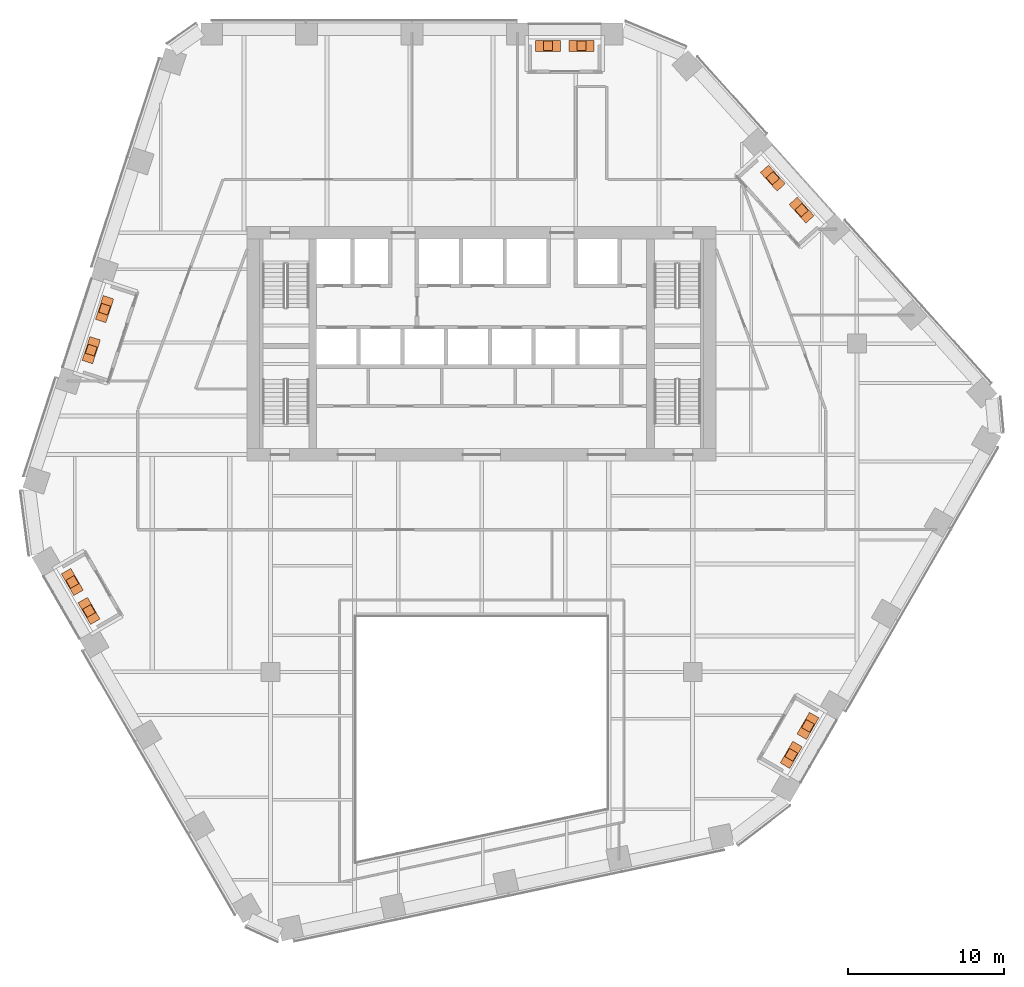
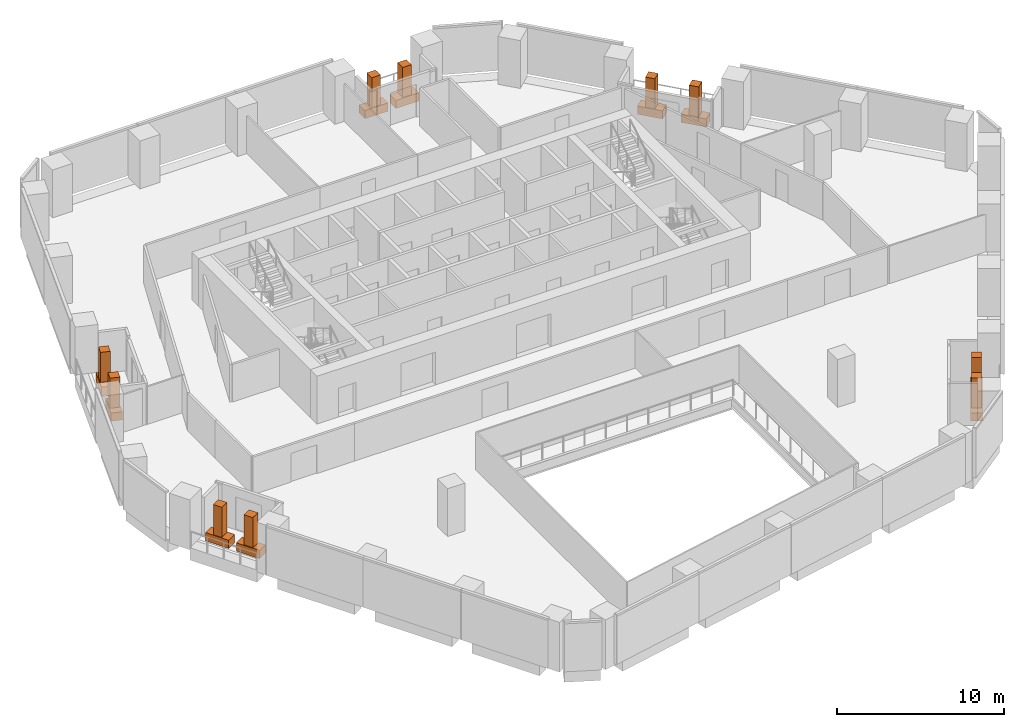
# One storey, part 24 of 24: 10 geographic elements, 10 proxies.
"""IFC4 building model written with IfcOpenShell, lengths in metres."""

from ifc_helpers import new_model, si_unit, direction, frame, origin, origin_2d, place, context, subcontext, project, spatial, rectangle, extrude, material, type_object, element, save


model = new_model("IFC4")

# Units and contexts
model_context = context("Model", 3, precision=1e-05, world=origin(), true_north=direction((0.0, 1.0)))
body_context = subcontext(model_context, "Body", "Model", "MODEL_VIEW")
ifc_project = project(units=[si_unit("LENGTHUNIT", "METRE"), si_unit("AREAUNIT", "SQUARE_METRE"), si_unit("VOLUMEUNIT", "CUBIC_METRE"), si_unit("PLANEANGLEUNIT", "RADIAN"), si_unit("MASSUNIT", "GRAM", prefix="KILO")], contexts=[model_context])

# Site, building, storey
site_placement = place(None, origin())
site = spatial("IfcSite", under=ifc_project, at=site_placement, CompositionType="ELEMENT")
building_placement = place(site_placement, origin())
building = spatial("IfcBuilding", under=site, at=building_placement, Name="Isthmus Gate Tower", CompositionType="ELEMENT")
storey_placement = place(building_placement, frame((0.0, 0.0, 159.0)))
storey = spatial("IfcBuildingStorey", under=building, at=storey_placement, Name="L39", CompositionType="ELEMENT", Elevation=159.0)

# Geographic elements
ifc_material_1 = material(Name="Plant material, broadleaf tree")
geographic_element_type = type_object("IfcGeographicElementType", Name="BROADLEAF TREE 2200 HIGH", PredefinedType="USERDEFINED", material=ifc_material_1)
for number, where, z_axis, x_axis, name in (
    (1, (6.383056640625, 26.550048828125, 0.60009765625), (0.0, 0.0, 1.0), (-1.0, 0.0, 0.0), "TREE"),
    (2, (4.243896484375, 26.550048828125, 0.60009765625), (0.0, 0.0, 1.0), (-1.0, 0.0, 0.0), "TREE"),
    (3, (-24.11962890625, 9.70458984375, 0.60009765625), (0.0, 0.0, 1.0), (-0.309016994375, -0.951056516295, 0.0), "TREE"),
    (4, (-24.97119140625, 7.083740234375, 0.60009765625), (0.0, 0.0, 1.0), (-0.309016994375, -0.951056516295, 0.0), "TREE"),
    (5, (-26.1845703125, -7.7470703125, 0.60009765625), (0.0, 0.0, 1.0), (0.5, -0.866025403784, 0.0), "TREE"),
    (6, (-25.114990234375, -9.599609375, 0.60009765625), (0.0, 0.0, 1.0), (0.5, -0.866025403784, 0.0), "TREE"),
    (7, (19.801513671875, -18.802978515625, 0.60009765625), (0.0, 0.0, 1.0), (0.5, 0.866025403784, 0.0), "TREE"),
    (8, (20.87109375, -16.950439453125, 0.60009765625), (0.0, 0.0, 1.0), (0.5, 0.866025403784, 0.0), "TREE"),
    (9, (20.46435546875, 16.035888671875, 0.60009765625), (0.0, 0.0, 1.0), (-0.669130606359, 0.743144825477, 0.0), "TREE"),
    (10, (18.620361328125, 18.083984375, 0.60009765625), (0.0, 0.0, 1.0), (-0.669130606359, 0.743144825477, 0.0), "TREE"),
):
    element("IfcGeographicElement", number, at=place(storey_placement, frame(where, z_axis=z_axis, x_axis=x_axis)), inside=storey, type_object=geographic_element_type, Name=name, ObjectType="TREE", PredefinedType="USERDEFINED", context=body_context, shape_type="SweptSolid", body=[
        extrude(rectangle(XDim=0.60009765625, YDim=0.60009765625, at=origin_2d()), origin(), (0.0, 0.0, 1.0), 2.199951171875),
    ])

# Proxies
ifc_material_2 = material(Name="Concrete f'c 40 MPa", Category="concrete")
building_element_proxy_type = type_object("IfcBuildingElementProxyType", Name="CONCRETE PLANTER 1600 X 700 X 600", PredefinedType="USERDEFINED", material=ifc_material_2)
for number, where, z_axis, x_axis, name in (
    (11, (6.383056640625, 26.550048828125, 0.0), (0.0, 0.0, 1.0), (-1.0, 0.0, 0.0), "PLANTER"),
    (12, (4.243896484375, 26.550048828125, 0.0), (0.0, 0.0, 1.0), (-1.0, 0.0, 0.0), "PLANTER"),
    (13, (-24.11962890625, 9.70458984375, 0.0), (0.0, 0.0, 1.0), (-0.309016994375, -0.951056516295, 0.0), "PLANTER"),
    (14, (-24.97119140625, 7.083740234375, 0.0), (0.0, 0.0, 1.0), (-0.309016994375, -0.951056516295, 0.0), "PLANTER"),
    (15, (-26.1845703125, -7.7470703125, 0.0), (0.0, 0.0, 1.0), (0.5, -0.866025403784, 0.0), "PLANTER"),
    (16, (-25.114990234375, -9.599609375, 0.0), (0.0, 0.0, 1.0), (0.5, -0.866025403784, 0.0), "PLANTER"),
    (17, (19.801513671875, -18.802978515625, 0.0), (0.0, 0.0, 1.0), (0.5, 0.866025403784, 0.0), "PLANTER"),
    (18, (20.87109375, -16.950439453125, 0.0), (0.0, 0.0, 1.0), (0.5, 0.866025403784, 0.0), "PLANTER"),
    (19, (20.46435546875, 16.035888671875, 0.0), (0.0, 0.0, 1.0), (-0.669130606359, 0.743144825477, 0.0), "PLANTER"),
    (20, (18.620361328125, 18.083984375, 0.0), (0.0, 0.0, 1.0), (-0.669130606359, 0.743144825477, 0.0), "PLANTER"),
):
    element("IfcBuildingElementProxy", number, at=place(storey_placement, frame(where, z_axis=z_axis, x_axis=x_axis)), inside=storey, type_object=building_element_proxy_type, Name=name, ObjectType="PLANTER", PredefinedType="USERDEFINED", context=body_context, shape_type="SweptSolid", body=[
        extrude(rectangle(XDim=1.60009765625, YDim=0.699951171875, at=origin_2d()), origin(), (0.0, 0.0, 1.0), 0.60009765625),
    ])

save(model, "model.ifc")
